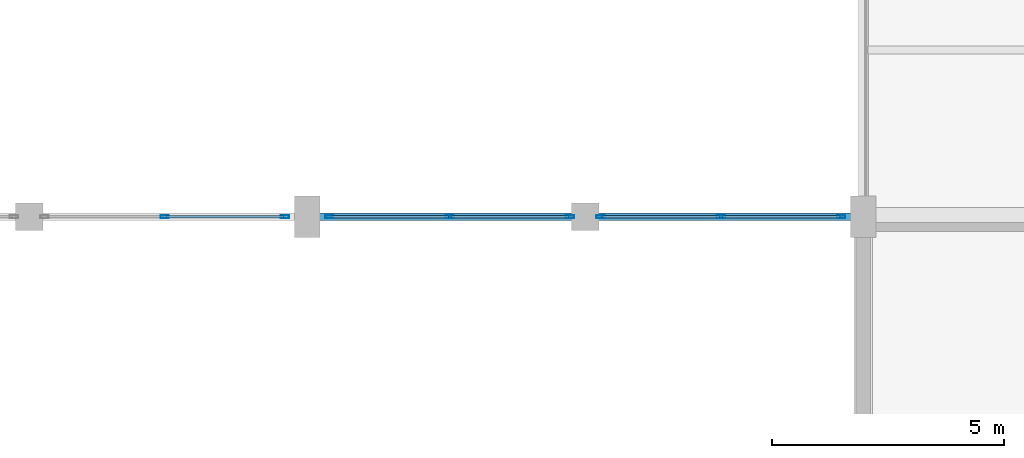
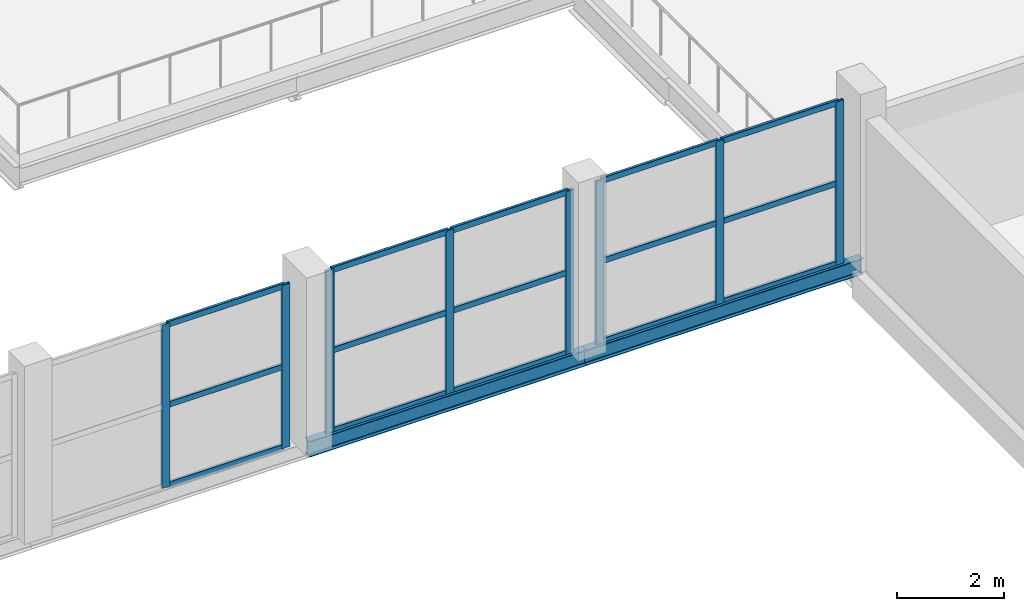
# One storey, part 73 of 127: 23 members, 2 beams, 3 elements without a shape of their own.
"""IFC4 building model written with IfcOpenShell, lengths in metres."""

from ifc_helpers import new_model, si_unit, direction, frame, origin, origin_2d, place, context, subcontext, project, spatial, hollow_rectangle, i_section, extrude, material, layer, layer_set, material_profile, profile_set, type_object, element, aggregate, save


model = new_model("IFC4")

# Units and contexts
model_context = context("Model", 3, precision=1e-05, world=origin(), true_north=direction((0.0, 1.0)))
body_context = subcontext(model_context, "Body", "Model", "MODEL_VIEW")
ifc_project = project(units=[si_unit("LENGTHUNIT", "METRE"), si_unit("AREAUNIT", "SQUARE_METRE"), si_unit("VOLUMEUNIT", "CUBIC_METRE"), si_unit("PLANEANGLEUNIT", "RADIAN"), si_unit("MASSUNIT", "GRAM", prefix="KILO")], contexts=[model_context])

# Site, building, storey
site_placement = place(None, origin())
site = spatial("IfcSite", under=ifc_project, at=site_placement, CompositionType="ELEMENT")
building_placement = place(site_placement, origin())
building = spatial("IfcBuilding", under=site, at=building_placement, Name="Dunvalen Ferry Terminal", CompositionType="ELEMENT")
storey_placement = place(building_placement, frame((0.0, 0.0, 5.760009765625)))
storey = spatial("IfcBuildingStorey", under=building, at=storey_placement, Name="L01", CompositionType="ELEMENT", Elevation=5.760009765625)

# Curtain wall, members
ifc_material_1 = material(Name="Anodised marine aluminium and solar-control glazing", Category="aluminium")
ifc_layer = layer(ifc_material_1, 0.219970703125, Name="Anodised marine aluminium and solar-control glazing")
ifc_layer_set = layer_set([ifc_layer], Name="Anodised marine aluminium and solar-control glazing")
curtain_wall_type = type_object("IfcCurtainWallType", Name="ENV-CW-SYS-02", PredefinedType="NOTDEFINED", material=ifc_layer_set)
curtain_wall_1_placement = place(storey_placement, origin())
curtain_wall_1 = element("IfcCurtainWall", 1, at=curtain_wall_1_placement, inside=storey, type_object=curtain_wall_type, Name="L01 Curtain Wall CW-V2S-L01-04", PredefinedType="NOTDEFINED")
ifc_material_2 = material(Name="Anodised marine aluminium EN AW-6063 T6", Category="aluminium")
ifc_material_profile_1 = material_profile(ifc_material_2, hollow_rectangle(XDim=0.06005859375, YDim=0.179931640625, WallThickness=0.00341796875, InnerFilletRadius=0.00341796875, OuterFilletRadius=0.007080078125, at=origin_2d()), Name="Anodised marine aluminium EN AW-6063 T6")
ifc_profile_set_1 = profile_set([ifc_material_profile_1], Name="Anodised marine aluminium EN AW-6063 T6")
member_type_1 = type_object("IfcMemberType", Name="ENV-CW-MUL-2", PredefinedType="MULLION", material=ifc_profile_set_1)
member_1_placement = place(storey_placement, frame((128.925048828125, 57.60009765625, 0.02001953125), z_axis=(0.0, 0.0, 1.0), x_axis=(0.0, 1.0, 0.0)))
member_1 = element("IfcMember", 2, at=member_1_placement, type_object=member_type_1, Name="CW-02 mullion 2", PredefinedType="MULLION", context=body_context, shape_type="SweptSolid", body=[
    extrude(hollow_rectangle(XDim=0.06005859375, YDim=0.179931640625, WallThickness=0.00341796875, InnerFilletRadius=0.00341796875, OuterFilletRadius=0.007080078125, at=origin_2d()), origin(), (0.0, 0.0, 1.0), 3.739990234375),
])
member_2_placement = place(storey_placement, frame((131.52001953125, 57.60009765625, 0.02001953125), z_axis=(0.0, 0.0, 1.0), x_axis=(0.0, 1.0, 0.0)))
member_2 = element("IfcMember", 3, at=member_2_placement, type_object=member_type_1, Name="CW-02 mullion 3", PredefinedType="MULLION", context=body_context, shape_type="SweptSolid", body=[
    extrude(hollow_rectangle(XDim=0.06005859375, YDim=0.179931640625, WallThickness=0.00341796875, InnerFilletRadius=0.00341796875, OuterFilletRadius=0.007080078125, at=origin_2d()), origin(), (0.0, 0.0, 1.0), 3.739990234375),
])

curtain_wall_2_placement = place(storey_placement, origin())
curtain_wall_2 = element("IfcCurtainWall", 4, at=curtain_wall_2_placement, inside=storey, type_object=curtain_wall_type, Name="L01 Curtain Wall CW-V2S-L01-05", PredefinedType="NOTDEFINED")
member_3_placement = place(storey_placement, frame((132.47998046875, 57.60009765625, 0.02001953125), z_axis=(0.0, 0.0, 1.0), x_axis=(0.0, 1.0, 0.0)))
member_3 = element("IfcMember", 5, at=member_3_placement, type_object=member_type_1, Name="CW-02 mullion 1", PredefinedType="MULLION", context=body_context, shape_type="SweptSolid", body=[
    extrude(hollow_rectangle(XDim=0.06005859375, YDim=0.179931640625, WallThickness=0.00341796875, InnerFilletRadius=0.00341796875, OuterFilletRadius=0.007080078125, at=origin_2d()), origin(), (0.0, 0.0, 1.0), 3.739990234375),
])
member_4_placement = place(storey_placement, frame((135.074951171875, 57.60009765625, 0.02001953125), z_axis=(0.0, 0.0, 1.0), x_axis=(0.0, 1.0, 0.0)))
member_4 = element("IfcMember", 6, at=member_4_placement, type_object=member_type_1, Name="CW-02 mullion 2", PredefinedType="MULLION", context=body_context, shape_type="SweptSolid", body=[
    extrude(hollow_rectangle(XDim=0.06005859375, YDim=0.179931640625, WallThickness=0.00341796875, InnerFilletRadius=0.00341796875, OuterFilletRadius=0.007080078125, at=origin_2d()), origin(), (0.0, 0.0, 1.0), 3.739990234375),
])
member_5_placement = place(storey_placement, frame((137.669921875, 57.60009765625, 0.02001953125), z_axis=(0.0, 0.0, 1.0), x_axis=(0.0, 1.0, 0.0)))
member_5 = element("IfcMember", 7, at=member_5_placement, type_object=member_type_1, Name="CW-02 mullion 3", PredefinedType="MULLION", context=body_context, shape_type="SweptSolid", body=[
    extrude(hollow_rectangle(XDim=0.06005859375, YDim=0.179931640625, WallThickness=0.00341796875, InnerFilletRadius=0.00341796875, OuterFilletRadius=0.007080078125, at=origin_2d()), origin(), (0.0, 0.0, 1.0), 3.739990234375),
])

curtain_wall_3_placement = place(storey_placement, origin())
curtain_wall_3 = element("IfcCurtainWall", 8, at=curtain_wall_3_placement, inside=storey, type_object=curtain_wall_type, Name="L01 Curtain Wall CW-V2S-L01-06", PredefinedType="NOTDEFINED")
member_6_placement = place(storey_placement, frame((138.330078125, 57.60009765625, 0.02001953125), z_axis=(0.0, 0.0, 1.0), x_axis=(0.0, 1.0, 0.0)))
member_6 = element("IfcMember", 9, at=member_6_placement, type_object=member_type_1, Name="CW-02 mullion 1", PredefinedType="MULLION", context=body_context, shape_type="SweptSolid", body=[
    extrude(hollow_rectangle(XDim=0.06005859375, YDim=0.179931640625, WallThickness=0.00341796875, InnerFilletRadius=0.00341796875, OuterFilletRadius=0.007080078125, at=origin_2d()), origin(), (0.0, 0.0, 1.0), 3.739990234375),
])
member_7_placement = place(storey_placement, frame((140.925048828125, 57.60009765625, 0.02001953125), z_axis=(0.0, 0.0, 1.0), x_axis=(0.0, 1.0, 0.0)))
member_7 = element("IfcMember", 10, at=member_7_placement, type_object=member_type_1, Name="CW-02 mullion 2", PredefinedType="MULLION", context=body_context, shape_type="SweptSolid", body=[
    extrude(hollow_rectangle(XDim=0.06005859375, YDim=0.179931640625, WallThickness=0.00341796875, InnerFilletRadius=0.00341796875, OuterFilletRadius=0.007080078125, at=origin_2d()), origin(), (0.0, 0.0, 1.0), 3.739990234375),
])
member_8_placement = place(storey_placement, frame((143.52001953125, 57.60009765625, 0.02001953125), z_axis=(0.0, 0.0, 1.0), x_axis=(0.0, 1.0, 0.0)))
member_8 = element("IfcMember", 11, at=member_8_placement, type_object=member_type_1, Name="CW-02 mullion 3", PredefinedType="MULLION", context=body_context, shape_type="SweptSolid", body=[
    extrude(hollow_rectangle(XDim=0.06005859375, YDim=0.179931640625, WallThickness=0.00341796875, InnerFilletRadius=0.00341796875, OuterFilletRadius=0.007080078125, at=origin_2d()), origin(), (0.0, 0.0, 1.0), 3.739990234375),
])

# Member
ifc_material_profile_2 = material_profile(ifc_material_2, hollow_rectangle(XDim=0.06005859375, YDim=0.135009765625, WallThickness=0.003173828125, InnerFilletRadius=0.003173828125, OuterFilletRadius=0.00634765625, at=origin_2d()), Name="Anodised marine aluminium EN AW-6063 T6")
ifc_profile_set_2 = profile_set([ifc_material_profile_2], Name="Anodised marine aluminium EN AW-6063 T6")
member_type_2 = type_object("IfcMemberType", Name="ENV-CW-TRN-2", PredefinedType="USERDEFINED", material=ifc_profile_set_2)
member_9_placement = place(storey_placement, frame((128.955078125, 57.60009765625, 0.050048828125), z_axis=(1.0, 0.0, 0.0), x_axis=(0.0, 1.0, 0.0)))
member_9 = element("IfcMember", 12, at=member_9_placement, type_object=member_type_2, Name="CW-02 transom 2.1", ObjectType="TRANSOM", PredefinedType="USERDEFINED", context=body_context, shape_type="SweptSolid", body=[
    extrude(hollow_rectangle(XDim=0.06005859375, YDim=0.135009765625, WallThickness=0.003173828125, InnerFilletRadius=0.003173828125, OuterFilletRadius=0.00634765625, at=origin_2d()), origin(), (0.0, 0.0, 1.0), 2.534912109375),
])

member_10_placement = place(storey_placement, frame((128.955078125, 57.60009765625, 1.889892578125), z_axis=(1.0, 0.0, 0.0), x_axis=(0.0, 1.0, 0.0)))
member_10 = element("IfcMember", 13, at=member_10_placement, type_object=member_type_2, Name="CW-02 transom 2.2", ObjectType="TRANSOM", PredefinedType="USERDEFINED", context=body_context, shape_type="SweptSolid", body=[
    extrude(hollow_rectangle(XDim=0.06005859375, YDim=0.135009765625, WallThickness=0.003173828125, InnerFilletRadius=0.003173828125, OuterFilletRadius=0.00634765625, at=origin_2d()), origin(), (0.0, 0.0, 1.0), 2.534912109375),
])

member_11_placement = place(storey_placement, frame((128.955078125, 57.60009765625, 3.72998046875), z_axis=(1.0, 0.0, 0.0), x_axis=(0.0, 1.0, 0.0)))
member_11 = element("IfcMember", 14, at=member_11_placement, type_object=member_type_2, Name="CW-02 transom 2.3", ObjectType="TRANSOM", PredefinedType="USERDEFINED", context=body_context, shape_type="SweptSolid", body=[
    extrude(hollow_rectangle(XDim=0.06005859375, YDim=0.135009765625, WallThickness=0.003173828125, InnerFilletRadius=0.003173828125, OuterFilletRadius=0.00634765625, at=origin_2d()), origin(), (0.0, 0.0, 1.0), 2.534912109375),
])

aggregate(curtain_wall_1, [member_1, member_2, member_9, member_10, member_11])

member_12_placement = place(storey_placement, frame((132.510009765625, 57.60009765625, 0.050048828125), z_axis=(1.0, 0.0, 0.0), x_axis=(0.0, 1.0, 0.0)))
member_12 = element("IfcMember", 15, at=member_12_placement, type_object=member_type_2, Name="CW-02 transom 1.1", ObjectType="TRANSOM", PredefinedType="USERDEFINED", context=body_context, shape_type="SweptSolid", body=[
    extrude(hollow_rectangle(XDim=0.06005859375, YDim=0.135009765625, WallThickness=0.003173828125, InnerFilletRadius=0.003173828125, OuterFilletRadius=0.00634765625, at=origin_2d()), origin(), (0.0, 0.0, 1.0), 2.534912109375),
])

member_13_placement = place(storey_placement, frame((132.510009765625, 57.60009765625, 1.889892578125), z_axis=(1.0, 0.0, 0.0), x_axis=(0.0, 1.0, 0.0)))
member_13 = element("IfcMember", 16, at=member_13_placement, type_object=member_type_2, Name="CW-02 transom 1.2", ObjectType="TRANSOM", PredefinedType="USERDEFINED", context=body_context, shape_type="SweptSolid", body=[
    extrude(hollow_rectangle(XDim=0.06005859375, YDim=0.135009765625, WallThickness=0.003173828125, InnerFilletRadius=0.003173828125, OuterFilletRadius=0.00634765625, at=origin_2d()), origin(), (0.0, 0.0, 1.0), 2.534912109375),
])

member_14_placement = place(storey_placement, frame((132.510009765625, 57.60009765625, 3.72998046875), z_axis=(1.0, 0.0, 0.0), x_axis=(0.0, 1.0, 0.0)))
member_14 = element("IfcMember", 17, at=member_14_placement, type_object=member_type_2, Name="CW-02 transom 1.3", ObjectType="TRANSOM", PredefinedType="USERDEFINED", context=body_context, shape_type="SweptSolid", body=[
    extrude(hollow_rectangle(XDim=0.06005859375, YDim=0.135009765625, WallThickness=0.003173828125, InnerFilletRadius=0.003173828125, OuterFilletRadius=0.00634765625, at=origin_2d()), origin(), (0.0, 0.0, 1.0), 2.534912109375),
])

member_15_placement = place(storey_placement, frame((135.10498046875, 57.60009765625, 0.050048828125), z_axis=(1.0, 0.0, 0.0), x_axis=(0.0, 1.0, 0.0)))
member_15 = element("IfcMember", 18, at=member_15_placement, type_object=member_type_2, Name="CW-02 transom 2.1", ObjectType="TRANSOM", PredefinedType="USERDEFINED", context=body_context, shape_type="SweptSolid", body=[
    extrude(hollow_rectangle(XDim=0.06005859375, YDim=0.135009765625, WallThickness=0.003173828125, InnerFilletRadius=0.003173828125, OuterFilletRadius=0.00634765625, at=origin_2d()), origin(), (0.0, 0.0, 1.0), 2.534912109375),
])

member_16_placement = place(storey_placement, frame((135.10498046875, 57.60009765625, 1.889892578125), z_axis=(1.0, 0.0, 0.0), x_axis=(0.0, 1.0, 0.0)))
member_16 = element("IfcMember", 19, at=member_16_placement, type_object=member_type_2, Name="CW-02 transom 2.2", ObjectType="TRANSOM", PredefinedType="USERDEFINED", context=body_context, shape_type="SweptSolid", body=[
    extrude(hollow_rectangle(XDim=0.06005859375, YDim=0.135009765625, WallThickness=0.003173828125, InnerFilletRadius=0.003173828125, OuterFilletRadius=0.00634765625, at=origin_2d()), origin(), (0.0, 0.0, 1.0), 2.534912109375),
])

member_17_placement = place(storey_placement, frame((135.10498046875, 57.60009765625, 3.72998046875), z_axis=(1.0, 0.0, 0.0), x_axis=(0.0, 1.0, 0.0)))
member_17 = element("IfcMember", 20, at=member_17_placement, type_object=member_type_2, Name="CW-02 transom 2.3", ObjectType="TRANSOM", PredefinedType="USERDEFINED", context=body_context, shape_type="SweptSolid", body=[
    extrude(hollow_rectangle(XDim=0.06005859375, YDim=0.135009765625, WallThickness=0.003173828125, InnerFilletRadius=0.003173828125, OuterFilletRadius=0.00634765625, at=origin_2d()), origin(), (0.0, 0.0, 1.0), 2.534912109375),
])

aggregate(curtain_wall_2, [member_3, member_4, member_5, member_12, member_13, member_14, member_15, member_16, member_17])

member_18_placement = place(storey_placement, frame((138.360107421875, 57.60009765625, 0.050048828125), z_axis=(1.0, 0.0, 0.0), x_axis=(0.0, 1.0, 0.0)))
member_18 = element("IfcMember", 21, at=member_18_placement, type_object=member_type_2, Name="CW-02 transom 1.1", ObjectType="TRANSOM", PredefinedType="USERDEFINED", context=body_context, shape_type="SweptSolid", body=[
    extrude(hollow_rectangle(XDim=0.06005859375, YDim=0.135009765625, WallThickness=0.003173828125, InnerFilletRadius=0.003173828125, OuterFilletRadius=0.00634765625, at=origin_2d()), origin(), (0.0, 0.0, 1.0), 2.534912109375),
])

member_19_placement = place(storey_placement, frame((138.360107421875, 57.60009765625, 1.889892578125), z_axis=(1.0, 0.0, 0.0), x_axis=(0.0, 1.0, 0.0)))
member_19 = element("IfcMember", 22, at=member_19_placement, type_object=member_type_2, Name="CW-02 transom 1.2", ObjectType="TRANSOM", PredefinedType="USERDEFINED", context=body_context, shape_type="SweptSolid", body=[
    extrude(hollow_rectangle(XDim=0.06005859375, YDim=0.135009765625, WallThickness=0.003173828125, InnerFilletRadius=0.003173828125, OuterFilletRadius=0.00634765625, at=origin_2d()), origin(), (0.0, 0.0, 1.0), 2.534912109375),
])

member_20_placement = place(storey_placement, frame((138.360107421875, 57.60009765625, 3.72998046875), z_axis=(1.0, 0.0, 0.0), x_axis=(0.0, 1.0, 0.0)))
member_20 = element("IfcMember", 23, at=member_20_placement, type_object=member_type_2, Name="CW-02 transom 1.3", ObjectType="TRANSOM", PredefinedType="USERDEFINED", context=body_context, shape_type="SweptSolid", body=[
    extrude(hollow_rectangle(XDim=0.06005859375, YDim=0.135009765625, WallThickness=0.003173828125, InnerFilletRadius=0.003173828125, OuterFilletRadius=0.00634765625, at=origin_2d()), origin(), (0.0, 0.0, 1.0), 2.534912109375),
])

member_21_placement = place(storey_placement, frame((140.955078125, 57.60009765625, 0.050048828125), z_axis=(1.0, 0.0, 0.0), x_axis=(0.0, 1.0, 0.0)))
member_21 = element("IfcMember", 24, at=member_21_placement, type_object=member_type_2, Name="CW-02 transom 2.1", ObjectType="TRANSOM", PredefinedType="USERDEFINED", context=body_context, shape_type="SweptSolid", body=[
    extrude(hollow_rectangle(XDim=0.06005859375, YDim=0.135009765625, WallThickness=0.003173828125, InnerFilletRadius=0.003173828125, OuterFilletRadius=0.00634765625, at=origin_2d()), origin(), (0.0, 0.0, 1.0), 2.534912109375),
])

member_22_placement = place(storey_placement, frame((140.955078125, 57.60009765625, 1.889892578125), z_axis=(1.0, 0.0, 0.0), x_axis=(0.0, 1.0, 0.0)))
member_22 = element("IfcMember", 25, at=member_22_placement, type_object=member_type_2, Name="CW-02 transom 2.2", ObjectType="TRANSOM", PredefinedType="USERDEFINED", context=body_context, shape_type="SweptSolid", body=[
    extrude(hollow_rectangle(XDim=0.06005859375, YDim=0.135009765625, WallThickness=0.003173828125, InnerFilletRadius=0.003173828125, OuterFilletRadius=0.00634765625, at=origin_2d()), origin(), (0.0, 0.0, 1.0), 2.534912109375),
])

member_23_placement = place(storey_placement, frame((140.955078125, 57.60009765625, 3.72998046875), z_axis=(1.0, 0.0, 0.0), x_axis=(0.0, 1.0, 0.0)))
member_23 = element("IfcMember", 26, at=member_23_placement, type_object=member_type_2, Name="CW-02 transom 2.3", ObjectType="TRANSOM", PredefinedType="USERDEFINED", context=body_context, shape_type="SweptSolid", body=[
    extrude(hollow_rectangle(XDim=0.06005859375, YDim=0.135009765625, WallThickness=0.003173828125, InnerFilletRadius=0.003173828125, OuterFilletRadius=0.00634765625, at=origin_2d()), origin(), (0.0, 0.0, 1.0), 2.534912109375),
])

aggregate(curtain_wall_3, [member_6, member_7, member_8, member_18, member_19, member_20, member_21, member_22, member_23])

# Beams
ifc_material_3 = material(Name="Steel S355", Category="steel")
ifc_material_profile_3 = material_profile(ifc_material_3, i_section(OverallWidth=0.169921875, OverallDepth=0.360107421875, WebThickness=0.008056640625, FlangeThickness=0.0126953125, FilletRadius=0.01806640625, at=origin_2d()), Name="Steel S355")
ifc_profile_set_3 = profile_set([ifc_material_profile_3], Name="Steel S355")
beam_type = type_object("IfcBeamType", Name="STR-BM-IPE360", PredefinedType="BEAM", material=ifc_profile_set_3)
for number, where, z_axis, x_axis, name in (
    (27, (132.0, 57.60009765625, -0.159912109375), (1.0, 0.0, 0.0), (0.0, 1.0, 0.0), "Arrivals Hall South Curtain-Wall Girt 05"),
    (28, (138.0, 57.60009765625, -0.159912109375), (1.0, 0.0, 0.0), (0.0, 1.0, 0.0), "Arrivals Hall South Curtain-Wall Girt 06"),
):
    element("IfcBeam", number, at=place(storey_placement, frame(where, z_axis=z_axis, x_axis=x_axis)), inside=storey, type_object=beam_type, Name=name, PredefinedType="BEAM", context=body_context, shape_type="SweptSolid", body=[
        extrude(i_section(OverallWidth=0.169921875, OverallDepth=0.360107421875, WebThickness=0.008056640625, FlangeThickness=0.0126953125, FilletRadius=0.01806640625, at=origin_2d()), origin(), (0.0, 0.0, 1.0), 6.0),
    ])

save(model, "model.ifc")
